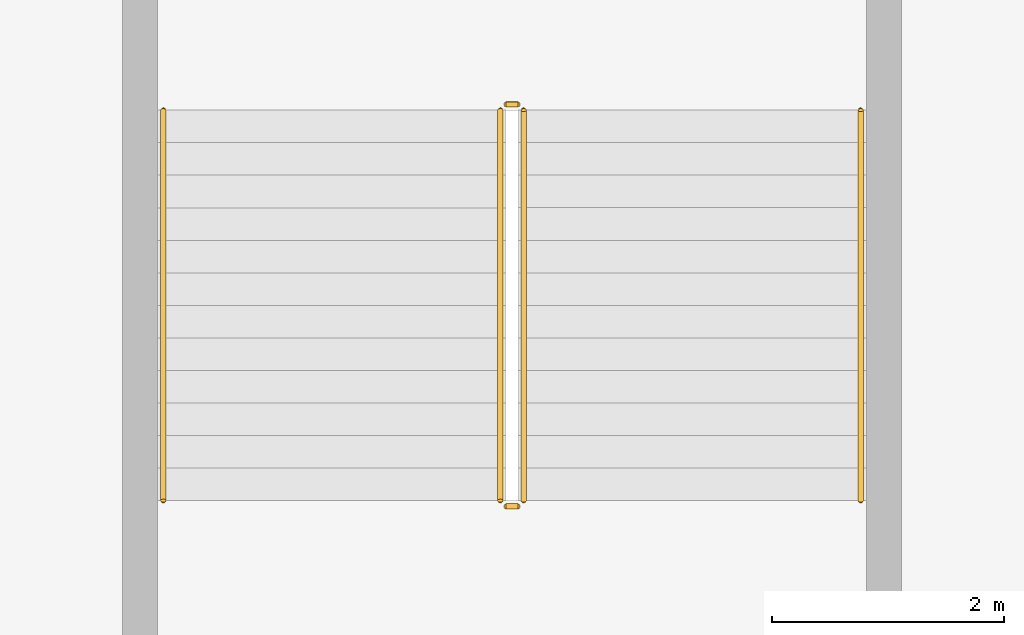
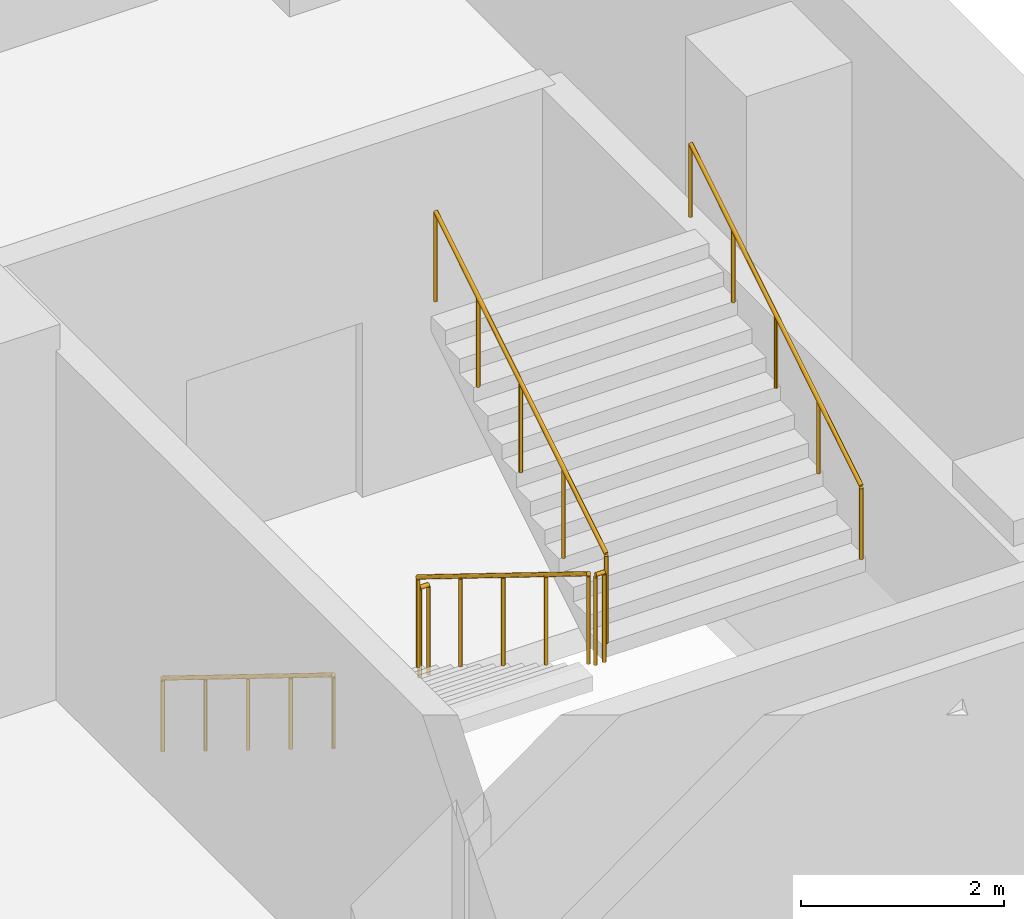
# One storey, part 14 of 14: 6 railings.
"""IFC4 building model written with IfcOpenShell, lengths in metres."""

from ifc_helpers import new_model, si_unit, direction, frame, origin, origin_2d, place, context, subcontext, project, spatial, circle, extrude, material, type_object, element, save


model = new_model("IFC4")

# Units and contexts
model_context = context("Model", 3, precision=1e-05, world=origin(), true_north=direction((0.0, 1.0)))
body_context = subcontext(model_context, "Body", "Model", "MODEL_VIEW")
ifc_project = project(units=[si_unit("LENGTHUNIT", "METRE"), si_unit("AREAUNIT", "SQUARE_METRE"), si_unit("VOLUMEUNIT", "CUBIC_METRE"), si_unit("PLANEANGLEUNIT", "RADIAN"), si_unit("MASSUNIT", "GRAM", prefix="KILO")], contexts=[model_context])

# Site, building, storey
site_placement = place(None, origin())
site = spatial("IfcSite", under=ifc_project, at=site_placement, CompositionType="ELEMENT")
building_placement = place(site_placement, origin())
building = spatial("IfcBuilding", under=site, at=building_placement, Name="Ogive Portal Towers", CompositionType="ELEMENT")
storey_placement = place(building_placement, frame((0.0, 0.0, -4.5)))
storey = spatial("IfcBuildingStorey", under=building, at=storey_placement, Name="B1", CompositionType="ELEMENT", Elevation=-4.5)

# Railings
ifc_material_1 = material(Name="Stainless steel balustrade", Category="steel")
railing_type_1 = type_object("IfcRailingType", Name="INT-GUARD", PredefinedType="GUARDRAIL", material=ifc_material_1)
railing_1_placement = place(storey_placement, frame((98.300048828125, 19.39990234375, 0.173095703125)))
element("IfcRailing", 1, at=railing_1_placement, inside=storey, type_object=railing_type_1, Name="B1 ST-S2 stair guard 1", PredefinedType="GUARDRAIL", context=body_context, shape_type="SweptSolid", body=[
    extrude(circle(Radius=0.02392578125, at=origin_2d()), frame((0.0, 0.0, 1.076171875), z_axis=(0.0, -0.850606129759, 0.525803396734), x_axis=(1.0, 0.0, 0.0)), (0.0, 0.0, 1.0), 3.949951171875),
    extrude(circle(Radius=0.02099609375, at=origin_2d()), origin(), (0.0, 0.0, 1.0), 1.052001953125),
    extrude(circle(Radius=0.02099609375, at=origin_2d()), frame((0.0, -0.83984375, 0.519287109375)), (0.0, 0.0, 1.0), 1.052001953125),
    extrude(circle(Radius=0.02099609375, at=origin_2d()), frame((0.0, -1.679931640625, 1.03857421875)), (0.0, 0.0, 1.0), 1.052001953125),
    extrude(circle(Radius=0.02099609375, at=origin_2d()), frame((0.0, -2.52001953125, 1.5576171875)), (0.0, 0.0, 1.0), 1.052001953125),
    extrude(circle(Radius=0.02099609375, at=origin_2d()), frame((0.0, -3.35986328125, 2.076904296875)), (0.0, 0.0, 1.0), 1.052001953125),
])
railing_2_placement = place(storey_placement, frame((98.35009765625, 15.989990234375, 2.25)))
element("IfcRailing", 2, at=railing_2_placement, inside=storey, type_object=railing_type_1, Name="B1 ST-S2 stair guard 2", PredefinedType="GUARDRAIL", context=body_context, shape_type="SweptSolid", body=[
    extrude(circle(Radius=0.02392578125, at=origin_2d()), frame((0.0, 0.0, 1.076171875), z_axis=(1.0, 0.0, 0.0), x_axis=(0.0, 1.0, 0.0)), (0.0, 0.0, 1.0), 0.099853515625),
    extrude(circle(Radius=0.02099609375, at=origin_2d()), origin(), (0.0, 0.0, 1.0), 1.052001953125),
    extrude(circle(Radius=0.02099609375, at=origin_2d()), frame((0.099853515625, 0.0, 0.0)), (0.0, 0.0, 1.0), 1.052001953125),
])
railing_3_placement = place(storey_placement, frame((98.5, 16.0400390625, 2.423095703125)))
element("IfcRailing", 3, at=railing_3_placement, inside=storey, type_object=railing_type_1, Name="B1 ST-S2 stair guard 3", PredefinedType="GUARDRAIL", context=body_context, shape_type="SweptSolid", body=[
    extrude(circle(Radius=0.02392578125, at=origin_2d()), frame((0.0, 0.0, 1.076171875), z_axis=(0.0, 0.850606129759, 0.525803396734), x_axis=(-1.0, 0.0, 0.0)), (0.0, 0.0, 1.0), 3.949951171875),
    extrude(circle(Radius=0.02099609375, at=origin_2d()), origin(), (0.0, 0.0, 1.0), 1.052001953125),
    extrude(circle(Radius=0.02099609375, at=origin_2d()), frame((0.0, 0.83984375, 0.519287109375)), (0.0, 0.0, 1.0), 1.052001953125),
    extrude(circle(Radius=0.02099609375, at=origin_2d()), frame((0.0, 1.679931640625, 1.03857421875)), (0.0, 0.0, 1.0), 1.052001953125),
    extrude(circle(Radius=0.02099609375, at=origin_2d()), frame((0.0, 2.52001953125, 1.5576171875)), (0.0, 0.0, 1.0), 1.052001953125),
    extrude(circle(Radius=0.02099609375, at=origin_2d()), frame((0.0, 3.35986328125, 2.076904296875)), (0.0, 0.0, 1.0), 1.052001953125),
])
railing_4_placement = place(storey_placement, frame((98.35009765625, 19.449951171875, 0.0)))
element("IfcRailing", 4, at=railing_4_placement, inside=storey, type_object=railing_type_1, Name="B1 ST-S2 stair guard 4", PredefinedType="GUARDRAIL", context=body_context, shape_type="SweptSolid", body=[
    extrude(circle(Radius=0.02392578125, at=origin_2d()), frame((0.0, 0.0, 1.076171875), z_axis=(1.0, 0.0, 0.0), x_axis=(0.0, 1.0, 0.0)), (0.0, 0.0, 1.0), 0.099853515625),
    extrude(circle(Radius=0.02099609375, at=origin_2d()), origin(), (0.0, 0.0, 1.0), 1.052001953125),
    extrude(circle(Radius=0.02099609375, at=origin_2d()), frame((0.099853515625, 0.0, 0.0)), (0.0, 0.0, 1.0), 1.052001953125),
])
ifc_material_2 = material(Name="Stainless steel handrail", Category="steel")
railing_type_2 = type_object("IfcRailingType", Name="INT-HANDRAIL", PredefinedType="HANDRAIL", material=ifc_material_2)
railing_5_placement = place(storey_placement, frame((95.39990234375, 19.39990234375, 0.173095703125)))
element("IfcRailing", 5, at=railing_5_placement, inside=storey, type_object=railing_type_2, Name="B1 ST-S2 stair handrail 1", PredefinedType="HANDRAIL", context=body_context, shape_type="SweptSolid", body=[
    extrude(circle(Radius=0.02392578125, at=origin_2d()), frame((0.0, 0.0, 0.8759765625), z_axis=(0.0, -0.850606129759, 0.525803396734), x_axis=(1.0, 0.0, 0.0)), (0.0, 0.0, 1.0), 3.949951171875),
    extrude(circle(Radius=0.02099609375, at=origin_2d()), origin(), (0.0, 0.0, 1.0), 0.851806640625),
    extrude(circle(Radius=0.02099609375, at=origin_2d()), frame((0.0, -0.83984375, 0.519287109375)), (0.0, 0.0, 1.0), 0.851806640625),
    extrude(circle(Radius=0.02099609375, at=origin_2d()), frame((0.0, -1.679931640625, 1.03857421875)), (0.0, 0.0, 1.0), 0.851806640625),
    extrude(circle(Radius=0.02099609375, at=origin_2d()), frame((0.0, -2.52001953125, 1.5576171875)), (0.0, 0.0, 1.0), 0.851806640625),
    extrude(circle(Radius=0.02099609375, at=origin_2d()), frame((0.0, -3.35986328125, 2.076904296875)), (0.0, 0.0, 1.0), 0.851806640625),
])
railing_6_placement = place(storey_placement, frame((101.39990234375, 16.0400390625, 2.423095703125)))
element("IfcRailing", 6, at=railing_6_placement, inside=storey, type_object=railing_type_2, Name="B1 ST-S2 stair handrail 2", PredefinedType="HANDRAIL", context=body_context, shape_type="SweptSolid", body=[
    extrude(circle(Radius=0.02392578125, at=origin_2d()), frame((0.0, 0.0, 0.8759765625), z_axis=(0.0, 0.850606129759, 0.525803396734), x_axis=(-1.0, 0.0, 0.0)), (0.0, 0.0, 1.0), 3.949951171875),
    extrude(circle(Radius=0.02099609375, at=origin_2d()), origin(), (0.0, 0.0, 1.0), 0.851806640625),
    extrude(circle(Radius=0.02099609375, at=origin_2d()), frame((0.0, 0.83984375, 0.519287109375)), (0.0, 0.0, 1.0), 0.851806640625),
    extrude(circle(Radius=0.02099609375, at=origin_2d()), frame((0.0, 1.679931640625, 1.03857421875)), (0.0, 0.0, 1.0), 0.851806640625),
    extrude(circle(Radius=0.02099609375, at=origin_2d()), frame((0.0, 2.52001953125, 1.5576171875)), (0.0, 0.0, 1.0), 0.851806640625),
    extrude(circle(Radius=0.02099609375, at=origin_2d()), frame((0.0, 3.35986328125, 2.076904296875)), (0.0, 0.0, 1.0), 0.851806640625),
])

save(model, "model.ifc")
